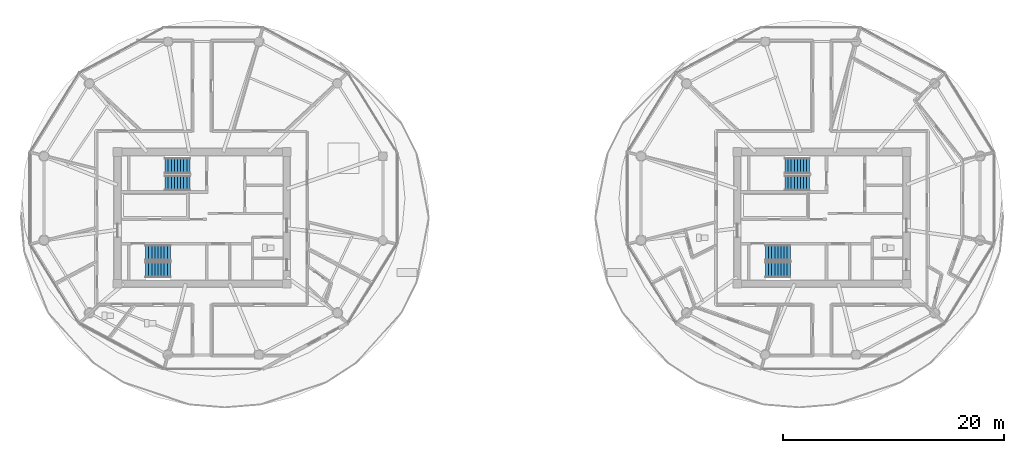
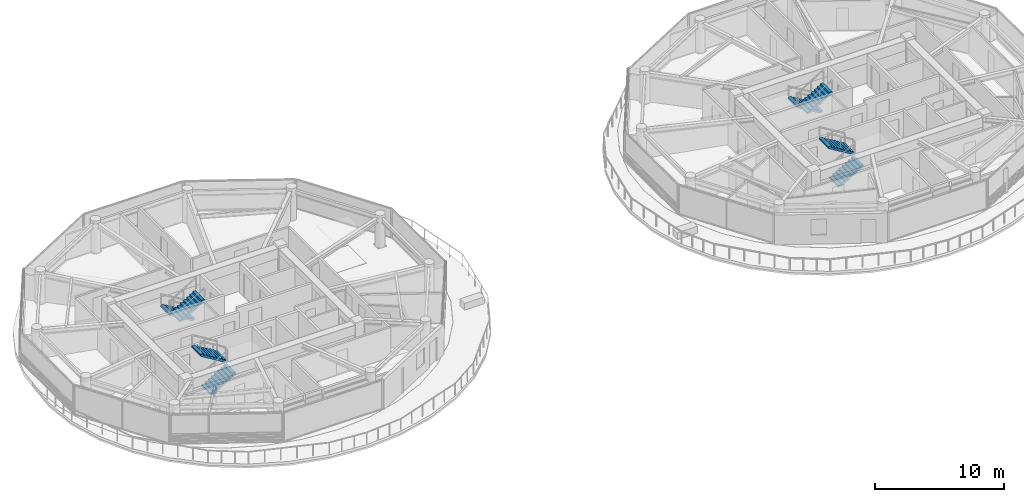
# One storey, part 18 of 28: 8 stair flights, 4 elements without a shape of their own.
"""IFC4 building model written with IfcOpenShell, lengths in metres."""

from ifc_helpers import new_model, si_unit, direction, frame, origin, place, context, subcontext, project, spatial, polyline, outline, extrude, material, type_object, element, aggregate, save


model = new_model("IFC4")

# Units and contexts
model_context = context("Model", 3, precision=1e-05, world=origin(), true_north=direction((0.0, 1.0)))
body_context = subcontext(model_context, "Body", "Model", "MODEL_VIEW")
ifc_project = project(units=[si_unit("LENGTHUNIT", "METRE"), si_unit("AREAUNIT", "SQUARE_METRE"), si_unit("VOLUMEUNIT", "CUBIC_METRE"), si_unit("PLANEANGLEUNIT", "RADIAN"), si_unit("MASSUNIT", "GRAM", prefix="KILO")], contexts=[model_context])

# Site, building, storey
site_placement = place(None, origin())
site = spatial("IfcSite", under=ifc_project, at=site_placement, CompositionType="ELEMENT")
building_placement = place(site_placement, origin())
building = spatial("IfcBuilding", under=site, at=building_placement, Name="Norrkilde Senior Care Towers", CompositionType="ELEMENT")
storey_placement = place(building_placement, frame((0.0, 0.0, 134.300048828125)))
storey = spatial("IfcBuildingStorey", under=building, at=storey_placement, Name="L41", CompositionType="ELEMENT", Elevation=134.300048828125)

# Stair, stair flights
ifc_material = material(Name="Concrete C45/55", Category="concrete")
stair_type = type_object("IfcStairType", Name="Core Protected Dogleg Stair Typical 3050", PredefinedType="HALF_TURN_STAIR", material=ifc_material)
stair_1_placement = place(storey_placement, origin())
stair_1 = element("IfcStair", 1, at=stair_1_placement, inside=storey, type_object=stair_type, Name="L41 Protected Core Stair W1", PredefinedType="HALF_TURN_STAIR")
stair_flight_type = type_object("IfcStairFlightType", Name="Core Protected Dogleg Stair Typical 3050 Flight", PredefinedType="STRAIGHT", material=ifc_material)
stair_flight_1_placement = place(storey_placement, frame((-29.10009765625, 4.699951171875, 0.0), z_axis=(0.0, 0.0, 1.0), x_axis=(-1.0, 0.0, 0.0)))
stair_flight_1 = element("IfcStairFlight", 2, at=stair_flight_1_placement, type_object=stair_flight_type, Name="ST-W1 flight 1", NumberOfRisers=9, NumberOfTreads=8, PredefinedType="STRAIGHT", RiserHeight=0.169444444, TreadLength=0.28, context=body_context, shape_type="SweptSolid", body=[
    extrude(outline(polyline([(0.0, 0.0), (0.0, 0.16943359375), (0.280029296875, 0.16943359375), (0.280029296875, 0.3388671875), (0.56005859375, 0.3388671875), (0.56005859375, 0.50830078125), (0.840087890625, 0.50830078125), (0.840087890625, 0.677734375), (1.1201171875, 0.677734375), (1.1201171875, 0.84716796875), (1.39990234375, 0.84716796875), (1.39990234375, 1.0166015625), (1.679931640625, 1.0166015625), (1.679931640625, 1.18603515625), (1.9599609375, 1.18603515625), (1.9599609375, 1.35546875), (2.239990234375, 1.35546875), (2.239990234375, 1.52490234375), (2.239990234375, 1.180419921875), (0.28955078125, 0.0), (0.0, 0.0)])), frame((0.0, 0.699951171875, 0.0), z_axis=(0.0, -1.0, 0.0), x_axis=(1.0, 0.0, 0.0)), (0.0, 0.0, 1.0), 1.39990234375),
])
stair_flight_2_placement = place(storey_placement, frame((-31.340087890625, 3.14990234375, 1.52490234375), z_axis=(0.0, 0.0, 1.0), x_axis=(1.0, 0.0, 0.0)))
stair_flight_2 = element("IfcStairFlight", 3, at=stair_flight_2_placement, type_object=stair_flight_type, Name="ST-W1 flight 2", NumberOfRisers=9, NumberOfTreads=8, PredefinedType="STRAIGHT", RiserHeight=0.169444444, TreadLength=0.28, context=body_context, shape_type="SweptSolid", body=[
    extrude(outline(polyline([(0.0, 0.0), (0.0, 0.16943359375), (0.280029296875, 0.16943359375), (0.280029296875, 0.3388671875), (0.56005859375, 0.3388671875), (0.56005859375, 0.50830078125), (0.840087890625, 0.50830078125), (0.840087890625, 0.677734375), (1.1201171875, 0.677734375), (1.1201171875, 0.84716796875), (1.39990234375, 0.84716796875), (1.39990234375, 1.0166015625), (1.679931640625, 1.0166015625), (1.679931640625, 1.18603515625), (1.9599609375, 1.18603515625), (1.9599609375, 1.35546875), (2.239990234375, 1.35546875), (2.239990234375, 1.52490234375), (2.239990234375, 1.180419921875), (0.28955078125, 0.0), (0.0, 0.0)])), frame((0.0, 0.699951171875, 0.0), z_axis=(0.0, -1.0, 0.0), x_axis=(1.0, 0.0, 0.0)), (0.0, 0.0, 1.0), 1.39990234375),
])
aggregate(stair_1, [stair_flight_1, stair_flight_2])

stair_2_placement = place(storey_placement, origin())
stair_2 = element("IfcStair", 4, at=stair_2_placement, inside=storey, type_object=stair_type, Name="L41 Protected Core Stair W2", PredefinedType="HALF_TURN_STAIR")
stair_flight_3_placement = place(storey_placement, frame((-33.10009765625, -4.699951171875, 0.0), z_axis=(0.0, 0.0, 1.0), x_axis=(1.0, 0.0, 0.0)))
stair_flight_3 = element("IfcStairFlight", 5, at=stair_flight_3_placement, type_object=stair_flight_type, Name="ST-W2 flight 1", NumberOfRisers=9, NumberOfTreads=8, PredefinedType="STRAIGHT", RiserHeight=0.169444444, TreadLength=0.28, context=body_context, shape_type="SweptSolid", body=[
    extrude(outline(polyline([(0.0, 0.0), (0.0, 0.16943359375), (0.280029296875, 0.16943359375), (0.280029296875, 0.3388671875), (0.56005859375, 0.3388671875), (0.56005859375, 0.50830078125), (0.840087890625, 0.50830078125), (0.840087890625, 0.677734375), (1.1201171875, 0.677734375), (1.1201171875, 0.84716796875), (1.39990234375, 0.84716796875), (1.39990234375, 1.0166015625), (1.679931640625, 1.0166015625), (1.679931640625, 1.18603515625), (1.9599609375, 1.18603515625), (1.9599609375, 1.35546875), (2.239990234375, 1.35546875), (2.239990234375, 1.52490234375), (2.239990234375, 1.180419921875), (0.28955078125, 0.0), (0.0, 0.0)])), frame((0.0, 0.699951171875, 0.0), z_axis=(0.0, -1.0, 0.0), x_axis=(1.0, 0.0, 0.0)), (0.0, 0.0, 1.0), 1.39990234375),
])
stair_flight_4_placement = place(storey_placement, frame((-30.860107421875, -3.14990234375, 1.52490234375), z_axis=(0.0, 0.0, 1.0), x_axis=(-1.0, 0.0, 0.0)))
stair_flight_4 = element("IfcStairFlight", 6, at=stair_flight_4_placement, type_object=stair_flight_type, Name="ST-W2 flight 2", NumberOfRisers=9, NumberOfTreads=8, PredefinedType="STRAIGHT", RiserHeight=0.169444444, TreadLength=0.28, context=body_context, shape_type="SweptSolid", body=[
    extrude(outline(polyline([(0.0, 0.0), (0.0, 0.16943359375), (0.280029296875, 0.16943359375), (0.280029296875, 0.3388671875), (0.56005859375, 0.3388671875), (0.56005859375, 0.50830078125), (0.840087890625, 0.50830078125), (0.840087890625, 0.677734375), (1.1201171875, 0.677734375), (1.1201171875, 0.84716796875), (1.39990234375, 0.84716796875), (1.39990234375, 1.0166015625), (1.679931640625, 1.0166015625), (1.679931640625, 1.18603515625), (1.9599609375, 1.18603515625), (1.9599609375, 1.35546875), (2.239990234375, 1.35546875), (2.239990234375, 1.52490234375), (2.239990234375, 1.180419921875), (0.28955078125, 0.0), (0.0, 0.0)])), frame((0.0, 0.699951171875, 0.0), z_axis=(0.0, -1.0, 0.0), x_axis=(1.0, 0.0, 0.0)), (0.0, 0.0, 1.0), 1.39990234375),
])
aggregate(stair_2, [stair_flight_3, stair_flight_4])

stair_3_placement = place(storey_placement, origin())
stair_3 = element("IfcStair", 7, at=stair_3_placement, inside=storey, type_object=stair_type, Name="L41 Protected Core Stair E1", PredefinedType="HALF_TURN_STAIR")
stair_flight_5_placement = place(storey_placement, frame((26.89990234375, 4.699951171875, 0.0), z_axis=(0.0, 0.0, 1.0), x_axis=(-1.0, 0.0, 0.0)))
stair_flight_5 = element("IfcStairFlight", 8, at=stair_flight_5_placement, type_object=stair_flight_type, Name="ST-E1 flight 1", NumberOfRisers=9, NumberOfTreads=8, PredefinedType="STRAIGHT", RiserHeight=0.169444444, TreadLength=0.28, context=body_context, shape_type="SweptSolid", body=[
    extrude(outline(polyline([(0.0, 0.0), (0.0, 0.16943359375), (0.280029296875, 0.16943359375), (0.280029296875, 0.3388671875), (0.56005859375, 0.3388671875), (0.56005859375, 0.50830078125), (0.840087890625, 0.50830078125), (0.840087890625, 0.677734375), (1.1201171875, 0.677734375), (1.1201171875, 0.84716796875), (1.39990234375, 0.84716796875), (1.39990234375, 1.0166015625), (1.679931640625, 1.0166015625), (1.679931640625, 1.18603515625), (1.9599609375, 1.18603515625), (1.9599609375, 1.35546875), (2.239990234375, 1.35546875), (2.239990234375, 1.52490234375), (2.239990234375, 1.180419921875), (0.28955078125, 0.0), (0.0, 0.0)])), frame((0.0, 0.699951171875, 0.0), z_axis=(0.0, -1.0, 0.0), x_axis=(1.0, 0.0, 0.0)), (0.0, 0.0, 1.0), 1.39990234375),
])
stair_flight_6_placement = place(storey_placement, frame((24.659912109375, 3.14990234375, 1.52490234375), z_axis=(0.0, 0.0, 1.0), x_axis=(1.0, 0.0, 0.0)))
stair_flight_6 = element("IfcStairFlight", 9, at=stair_flight_6_placement, type_object=stair_flight_type, Name="ST-E1 flight 2", NumberOfRisers=9, NumberOfTreads=8, PredefinedType="STRAIGHT", RiserHeight=0.169444444, TreadLength=0.28, context=body_context, shape_type="SweptSolid", body=[
    extrude(outline(polyline([(0.0, 0.0), (0.0, 0.16943359375), (0.280029296875, 0.16943359375), (0.280029296875, 0.3388671875), (0.56005859375, 0.3388671875), (0.56005859375, 0.50830078125), (0.840087890625, 0.50830078125), (0.840087890625, 0.677734375), (1.1201171875, 0.677734375), (1.1201171875, 0.84716796875), (1.39990234375, 0.84716796875), (1.39990234375, 1.0166015625), (1.679931640625, 1.0166015625), (1.679931640625, 1.18603515625), (1.9599609375, 1.18603515625), (1.9599609375, 1.35546875), (2.239990234375, 1.35546875), (2.239990234375, 1.52490234375), (2.239990234375, 1.180419921875), (0.28955078125, 0.0), (0.0, 0.0)])), frame((0.0, 0.699951171875, 0.0), z_axis=(0.0, -1.0, 0.0), x_axis=(1.0, 0.0, 0.0)), (0.0, 0.0, 1.0), 1.39990234375),
])
aggregate(stair_3, [stair_flight_5, stair_flight_6])

stair_4_placement = place(storey_placement, origin())
stair_4 = element("IfcStair", 10, at=stair_4_placement, inside=storey, type_object=stair_type, Name="L41 Protected Core Stair E2", PredefinedType="HALF_TURN_STAIR")
stair_flight_7_placement = place(storey_placement, frame((22.89990234375, -4.699951171875, 0.0), z_axis=(0.0, 0.0, 1.0), x_axis=(1.0, 0.0, 0.0)))
stair_flight_7 = element("IfcStairFlight", 11, at=stair_flight_7_placement, type_object=stair_flight_type, Name="ST-E2 flight 1", NumberOfRisers=9, NumberOfTreads=8, PredefinedType="STRAIGHT", RiserHeight=0.169444444, TreadLength=0.28, context=body_context, shape_type="SweptSolid", body=[
    extrude(outline(polyline([(0.0, 0.0), (0.0, 0.16943359375), (0.280029296875, 0.16943359375), (0.280029296875, 0.3388671875), (0.56005859375, 0.3388671875), (0.56005859375, 0.50830078125), (0.840087890625, 0.50830078125), (0.840087890625, 0.677734375), (1.1201171875, 0.677734375), (1.1201171875, 0.84716796875), (1.39990234375, 0.84716796875), (1.39990234375, 1.0166015625), (1.679931640625, 1.0166015625), (1.679931640625, 1.18603515625), (1.9599609375, 1.18603515625), (1.9599609375, 1.35546875), (2.239990234375, 1.35546875), (2.239990234375, 1.52490234375), (2.239990234375, 1.180419921875), (0.28955078125, 0.0), (0.0, 0.0)])), frame((0.0, 0.699951171875, 0.0), z_axis=(0.0, -1.0, 0.0), x_axis=(1.0, 0.0, 0.0)), (0.0, 0.0, 1.0), 1.39990234375),
])
stair_flight_8_placement = place(storey_placement, frame((25.139892578125, -3.14990234375, 1.52490234375), z_axis=(0.0, 0.0, 1.0), x_axis=(-1.0, 0.0, 0.0)))
stair_flight_8 = element("IfcStairFlight", 12, at=stair_flight_8_placement, type_object=stair_flight_type, Name="ST-E2 flight 2", NumberOfRisers=9, NumberOfTreads=8, PredefinedType="STRAIGHT", RiserHeight=0.169444444, TreadLength=0.28, context=body_context, shape_type="SweptSolid", body=[
    extrude(outline(polyline([(0.0, 0.0), (0.0, 0.16943359375), (0.280029296875, 0.16943359375), (0.280029296875, 0.3388671875), (0.56005859375, 0.3388671875), (0.56005859375, 0.50830078125), (0.840087890625, 0.50830078125), (0.840087890625, 0.677734375), (1.1201171875, 0.677734375), (1.1201171875, 0.84716796875), (1.39990234375, 0.84716796875), (1.39990234375, 1.0166015625), (1.679931640625, 1.0166015625), (1.679931640625, 1.18603515625), (1.9599609375, 1.18603515625), (1.9599609375, 1.35546875), (2.239990234375, 1.35546875), (2.239990234375, 1.52490234375), (2.239990234375, 1.180419921875), (0.28955078125, 0.0), (0.0, 0.0)])), frame((0.0, 0.699951171875, 0.0), z_axis=(0.0, -1.0, 0.0), x_axis=(1.0, 0.0, 0.0)), (0.0, 0.0, 1.0), 1.39990234375),
])
aggregate(stair_4, [stair_flight_7, stair_flight_8])

save(model, "model.ifc")
